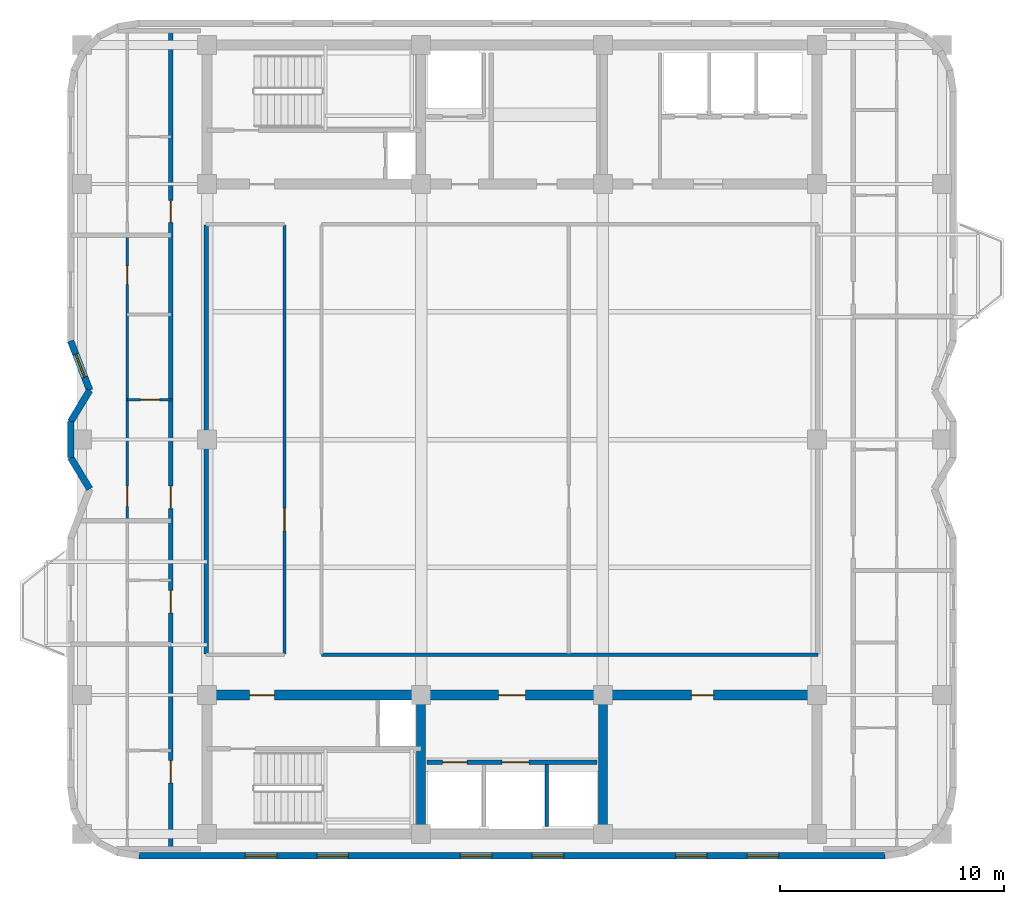
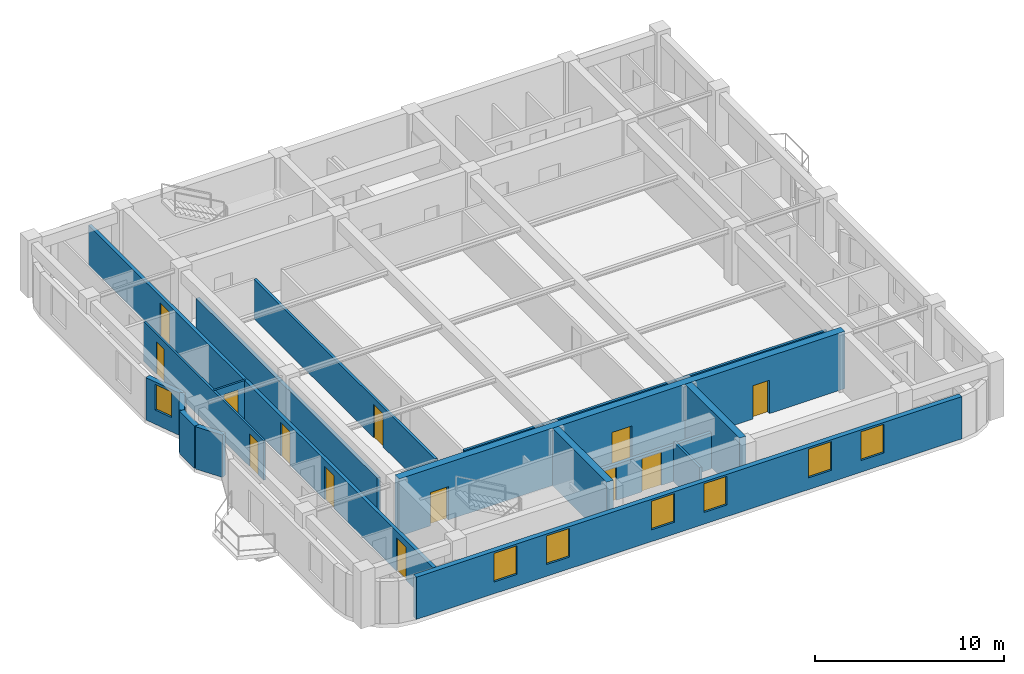
# One storey, part 3 of 8: 16 walls, 13 doors, 7 windows, 20 openings.
"""IFC4 building model written with IfcOpenShell, lengths in metres."""

import ifcopenshell
import ifcopenshell.guid

model = None  # the IFC model being written
_history = None  # IfcOwnerHistory: only IFC2X3 demands one
_inside = {}  # id of a spatial element -> (the spatial element, [elements in it])
_under = {}  # id of a project, library or spatial element -> (it, [spatial elements below it])
_declared = {}  # id of a project -> (the project, [libraries it declares])
_typed = {}  # id of a type object -> (the type object, [elements of that type])
_made_of = {}  # id of a material, layer set ... -> (it, [elements and type objects made of it])


def new_model(schema):
    """Start an empty IFC model of exactly this schema.

    Asked for "IFC4X3", IfcOpenShell would pick the latest addendum, in which some entities
    have other attributes; the version numbers below select the first issue.
    IFC2X3 requires an IfcOwnerHistory on every rooted entity: one is made here for all.
    """
    global model, _history
    if schema == "IFC4X3":
        model = ifcopenshell.file(schema_version=(4, 3, 0, 0))
    else:
        model = ifcopenshell.file(schema=schema)
    _inside.clear()
    _under.clear()
    _declared.clear()
    _typed.clear()
    _made_of.clear()
    _history = None
    if model.schema == "IFC2X3":
        org = make("IfcOrganization", Name="unknown")
        user = make(
            "IfcPersonAndOrganization",
            ThePerson=make("IfcPerson", FamilyName="unknown"),
            TheOrganization=org,
        )
        app = make(
            "IfcApplication",
            ApplicationDeveloper=org,
            Version="unknown",
            ApplicationFullName="unknown",
            ApplicationIdentifier="unknown",
        )
        _history = make(
            "IfcOwnerHistory",
            OwningUser=user,
            OwningApplication=app,
            ChangeAction="ADDED",
            CreationDate=0,
        )
    return model


def make(cls, **values):
    """One entity of the class cls with the attributes given. An attribute that is None is left unset."""
    return model.create_entity(
        cls, **{name: value for name, value in values.items() if value is not None}
    )


def rooted(cls, **values):
    """An entity with a GlobalId (a new one), such as an element, a storey or a relation."""
    return make(cls, GlobalId=ifcopenshell.guid.new(), OwnerHistory=_history, **values)


def si_unit(unit_type, name, prefix=None):
    """IfcSIUnit, for example si_unit("LENGTHUNIT", "METRE", prefix="MILLI")."""
    return make("IfcSIUnit", UnitType=unit_type, Prefix=prefix, Name=name)


def assignment(units):
    """IfcUnitAssignment: the units of a project."""
    return None if units is None else make("IfcUnitAssignment", Units=units)


def point(xyz):
    """IfcCartesianPoint."""
    return None if xyz is None else make("IfcCartesianPoint", Coordinates=xyz)


def direction(xyz):
    """IfcDirection."""
    return None if xyz is None else make("IfcDirection", DirectionRatios=xyz)


def frame(location, z_axis=None, x_axis=None):
    """IfcAxis2Placement3D, a coordinate frame: its origin and axes. An axis left out is left unset."""
    return make(
        "IfcAxis2Placement3D",
        Location=point(location),
        Axis=direction(z_axis),
        RefDirection=direction(x_axis),
    )


def frame_2d(location, x_axis=None):
    """IfcAxis2Placement2D, a coordinate frame in the plane: its origin and x axis."""
    return make(
        "IfcAxis2Placement2D", Location=point(location), RefDirection=direction(x_axis)
    )


def origin():
    """The frame at (0, 0, 0) with its axes left unset."""
    return frame((0.0, 0.0, 0.0))


def place(relative_to, where):
    """IfcLocalPlacement: puts the frame where relative to a parent placement (None: the world)."""
    return make(
        "IfcLocalPlacement", PlacementRelTo=relative_to, RelativePlacement=where
    )


def context(
    kind, dimensions, precision=None, world=None, true_north=None, identifier=None
):
    """IfcGeometricRepresentationContext, for example the 3D "Model" context."""
    return make(
        "IfcGeometricRepresentationContext",
        ContextIdentifier=identifier,
        ContextType=kind,
        CoordinateSpaceDimension=dimensions,
        Precision=precision,
        WorldCoordinateSystem=world,
        TrueNorth=true_north,
    )


def subcontext(parent, identifier, kind, view, scale=None):
    """IfcGeometricRepresentationSubContext, for example "Body" below "Model"."""
    return make(
        "IfcGeometricRepresentationSubContext",
        ContextIdentifier=identifier,
        ContextType=kind,
        ParentContext=parent,
        TargetScale=scale,
        TargetView=view,
    )


def project(units=None, contexts=None):
    """IfcProject with its units and contexts."""
    return rooted(
        "IfcProject",
        Name="project",
        RepresentationContexts=contexts,
        UnitsInContext=assignment(units),
    )


def spatial(cls, under=None, at=None, **own):
    """A site, building, storey or space (cls), placed at a placement, below another one or the project."""
    s = rooted(cls, ObjectPlacement=at, **own)
    if under is not None:
        _under.setdefault(under.id(), (under, []))[1].append(s)
    return s


def profile(cls, at=None, kind="AREA", **sizes):
    """A parametric profile (cls). Its sizes go by their IFC names, for example OverallWidth=200.0."""
    return make(cls, ProfileType=kind, Position=at, **sizes)


def rectangle(**sizes):
    """IfcRectangleProfileDef."""
    return profile("IfcRectangleProfileDef", **sizes)


def extrude(swept, where, along, depth):
    """IfcExtrudedAreaSolid: the profile swept, set in the frame where, extruded along a direction by depth."""
    return make(
        "IfcExtrudedAreaSolid",
        SweptArea=swept,
        Position=where,
        ExtrudedDirection=direction(along),
        Depth=depth,
    )


def shape(context_of_items, identifier, shape_type, items):
    """IfcShapeRepresentation: the items that make up one representation, for example the "Body"."""
    return make(
        "IfcShapeRepresentation",
        ContextOfItems=context_of_items,
        RepresentationIdentifier=identifier,
        RepresentationType=shape_type,
        Items=items,
    )


def material(Name=None, Category=None):
    """IfcMaterial."""
    return make("IfcMaterial", Name=Name, Category=Category)


def layer(
    of_material, thickness, ventilated=None, Name=None, Category=None, Priority=None
):
    """IfcMaterialLayer: one layer of a wall or slab, of a material (None: an air gap)."""
    return make(
        "IfcMaterialLayer",
        Material=of_material,
        LayerThickness=thickness,
        IsVentilated=ventilated,
        Name=Name,
        Category=Category,
        Priority=Priority,
    )


def layer_set(layers, Name=None):
    """IfcMaterialLayerSet."""
    return make("IfcMaterialLayerSet", MaterialLayers=layers, LayerSetName=Name)


def made_of(thing, what):
    """Note that an element or type object is made of a material, layer set ...; save() writes the relation."""
    if what is not None:
        _made_of.setdefault(what.id(), (what, []))[1].append(thing)
    return thing


def type_object(cls, material=None, **own):
    """A type object (cls), such as IfcWallType, which elements share."""
    return made_of(rooted(cls, **own), material)


def element(
    cls,
    number,
    at=None,
    inside=None,
    cuts=None,
    type_object=None,
    material=None,
    context=None,
    identifier="Body",
    shape_type=None,
    held_by="IfcProductDefinitionShape",
    body=None,
    shapes=None,
    **own,
):
    """One element of the class cls, such as IfcWall. Its Tag is "e" and its number.

    at: its placement. inside: the storey or other place that contains it. cuts: it is an
    opening in that element (IfcRelVoidsElement). A single representation is given by context,
    identifier, shape_type and body (its items); several are given by shapes. held_by: the class
    of the entity that holds the representations. save() writes the other relations.
    """
    e = rooted(cls, Tag="e%d" % number, ObjectPlacement=at, **own)
    if body is not None:
        shapes = [shape(context, identifier, shape_type, body)]
    if shapes is not None:
        e.Representation = make(held_by, Representations=shapes)
    if inside is not None:
        _inside.setdefault(inside.id(), (inside, []))[1].append(e)
    if cuts is not None:
        rooted(
            "IfcRelVoidsElement", RelatingBuildingElement=cuts, RelatedOpeningElement=e
        )
    if type_object is not None:
        _typed.setdefault(type_object.id(), (type_object, []))[1].append(e)
    return made_of(e, material)


def fill(opening, filler):
    """IfcRelFillsElement: the door or window that sits in an opening."""
    return rooted(
        "IfcRelFillsElement",
        RelatingOpeningElement=opening,
        RelatedBuildingElement=filler,
    )


def aggregate(whole, parts):
    """IfcRelAggregates: a whole, such as a stair, and the parts it consists of."""
    return rooted("IfcRelAggregates", RelatingObject=whole, RelatedObjects=parts)


def save(model, path):
    """Write the relations noted so far, then the file.

    IfcRelAggregates (storeys below a building ...), IfcRelContainedInSpatialStructure (elements
    in a storey), IfcRelDefinesByType, IfcRelAssociatesMaterial and IfcRelDeclares: one each for
    every whole, place, type object, material and project.
    """
    for whole, parts in _under.values():
        aggregate(whole, parts)
    for where, things in _inside.values():
        rooted(
            "IfcRelContainedInSpatialStructure",
            RelatedElements=things,
            RelatingStructure=where,
        )
    for kind, things in _typed.values():
        rooted("IfcRelDefinesByType", RelatedObjects=things, RelatingType=kind)
    for what, things in _made_of.values():
        rooted("IfcRelAssociatesMaterial", RelatedObjects=things, RelatingMaterial=what)
    for by, libraries in _declared.values():
        rooted("IfcRelDeclares", RelatingContext=by, RelatedDefinitions=libraries)
    model.write(path)


model = new_model("IFC4")

# Units and contexts
model_context = context("Model", 3, precision=1e-05, world=origin(), true_north=direction((0.0, 1.0)))
body_context = subcontext(model_context, "Body", "Model", "MODEL_VIEW")
ifc_project = project(units=[si_unit("LENGTHUNIT", "METRE"), si_unit("AREAUNIT", "SQUARE_METRE"), si_unit("VOLUMEUNIT", "CUBIC_METRE"), si_unit("PLANEANGLEUNIT", "RADIAN"), si_unit("MASSUNIT", "GRAM", prefix="KILO")], contexts=[model_context])

# Site, building, storey
site_placement = place(None, origin())
site = spatial("IfcSite", under=ifc_project, at=site_placement, CompositionType="ELEMENT")
building_placement = place(site_placement, origin())
building = spatial("IfcBuilding", under=site, at=building_placement, Name="Svetorya Sky Lyceum", CompositionType="ELEMENT")
storey_placement = place(building_placement, frame((0.0, 0.0, 229.5)))
storey = spatial("IfcBuildingStorey", under=building, at=storey_placement, Name="L57", CompositionType="ELEMENT", Elevation=229.5)

# Walls
ifc_material_1 = material(Name="Concrete C40/50", Category="concrete")
ifc_layer_1 = layer(ifc_material_1, 0.39990234375)
ifc_layer_set_1 = layer_set([ifc_layer_1], Name="Concrete C40/50")
wall_type_1 = type_object("IfcWallType", Name="WL-CORE-400", PredefinedType="SHEAR", material=ifc_layer_set_1)
for number, where, z_axis, x_axis, name in (
    (1, (35.14990234375, 10.824951171875, 0.0), (0.0, 0.0, 1.0), (0.0, 1.0, 0.0), "L57 SC Internal Shear Web WEB1"),
    (2, (43.25, 10.824951171875, 0.0), (0.0, 0.0, 1.0), (0.0, 1.0, 0.0), "L57 SC Internal Shear Web WEB2"),
):
    element("IfcWall", number, at=place(storey_placement, frame(where, z_axis=z_axis, x_axis=x_axis)), inside=storey, type_object=wall_type_1, Name=name, PredefinedType="SHEAR", context=body_context, shape_type="SweptSolid", body=[
        extrude(rectangle(XDim=5.75, YDim=0.39990234375, at=frame_2d((2.875, 0.0))), origin(), (0.0, 0.0, 1.0), 3.699951171875),
    ])

# Wall, openings, doors
ifc_material_2 = material(Name="Concrete C50/60", Category="concrete")
ifc_layer_2 = layer(ifc_material_2, 0.449951171875)
ifc_layer_set_2 = layer_set([ifc_layer_2], Name="Concrete C50/60")
wall_type_2 = type_object("IfcWallType", Name="WL-CORE-450", PredefinedType="SHEAR", material=ifc_layer_set_2)
wall_1_placement = place(storey_placement, frame((25.60009765625, 16.800048828125, 0.0), z_axis=(0.0, 0.0, 1.0), x_axis=(1.0, 0.0, 0.0)))
wall_1 = element("IfcWall", 3, at=wall_1_placement, inside=storey, type_object=wall_type_2, Name="L57 SC Inner Core Shear Wall", PredefinedType="SHEAR", context=body_context, shape_type="SweptSolid", body=[
    extrude(rectangle(XDim=27.199951171875, YDim=0.449951171875, at=frame_2d((13.60009765625, 0.0))), origin(), (0.0, 0.0, 1.0), 3.699951171875),
])
opening_1_placement = place(wall_1_placement, frame((1.89990234375, 0.0, 0.0)))
opening_1 = element("IfcOpeningElement", 4, at=opening_1_placement, cuts=wall_1, Name="Opening D-ST1", PredefinedType="OPENING", context=body_context, shape_type="SweptSolid", body=[
    extrude(rectangle(XDim=1.10009765625, YDim=2.14990234375, at=frame_2d((0.550048828125, 1.074951171875))), frame((0.0, 0.23486328125, 0.0), z_axis=(0.0, -1.0, 0.0), x_axis=(1.0, 0.0, 0.0)), (0.0, 0.0, 1.0), 0.469970703125),
])
opening_2_placement = place(wall_1_placement, frame((13.0, 0.0, 0.0)))
opening_2 = element("IfcOpeningElement", 5, at=opening_2_placement, cuts=wall_1, Name="Opening D-FL1", PredefinedType="OPENING", context=body_context, shape_type="SweptSolid", body=[
    extrude(rectangle(XDim=1.199951171875, YDim=2.14990234375, at=frame_2d((0.60009765625, 1.074951171875))), frame((0.0, 0.23486328125, 0.0), z_axis=(0.0, -1.0, 0.0), x_axis=(1.0, 0.0, 0.0)), (0.0, 0.0, 1.0), 0.469970703125),
])
opening_3_placement = place(wall_1_placement, frame((21.60009765625, 0.0, 0.0)))
opening_3 = element("IfcOpeningElement", 6, at=opening_3_placement, cuts=wall_1, Name="Opening D-RM2", PredefinedType="OPENING", context=body_context, shape_type="SweptSolid", body=[
    extrude(rectangle(XDim=1.0, YDim=2.14990234375, at=frame_2d((0.5, 1.074951171875))), frame((0.0, 0.23486328125, 0.0), z_axis=(0.0, -1.0, 0.0), x_axis=(1.0, 0.0, 0.0)), (0.0, 0.0, 1.0), 0.469970703125),
])
ifc_material_3 = material(Name="Powder-coated insulated galvanized stair fire door")
door_type_1 = type_object("IfcDoorType", Name="DR-FIRE-1100", OperationType="SINGLE_SWING_LEFT", PredefinedType="DOOR", material=ifc_material_3)
door_1_placement = place(opening_1_placement, origin())
door_1 = element("IfcDoor", 7, at=door_1_placement, inside=storey, type_object=door_type_1, Name="L57 South Stair Airlock Door", OperationType="SINGLE_SWING_RIGHT", OverallHeight=2.14990234375, OverallWidth=1.10009765625, PredefinedType="DOOR", context=body_context, shape_type="SweptSolid", body=[
    extrude(rectangle(XDim=1.10009765625, YDim=2.14990234375, at=frame_2d((0.550048828125, 1.074951171875))), frame((0.0, 0.02490234375, 0.0), z_axis=(0.0, -1.0, 0.0), x_axis=(1.0, 0.0, 0.0)), (0.0, 0.0, 1.0), 0.050048828125),
])
fill(opening_1, door_1)
ifc_material_4 = material(Name="Powder-coated insulated galvanized fire door")
door_type_2 = type_object("IfcDoorType", Name="DR-FIRE-1200", OperationType="SINGLE_SWING_LEFT", PredefinedType="DOOR", material=ifc_material_4)
door_2_placement = place(opening_2_placement, origin())
door_2 = element("IfcDoor", 8, at=door_2_placement, inside=storey, type_object=door_type_2, Name="L57 South Firefighting Lift Lobby Door", OperationType="SINGLE_SWING_LEFT", OverallHeight=2.14990234375, OverallWidth=1.199951171875, PredefinedType="DOOR", context=body_context, shape_type="SweptSolid", body=[
    extrude(rectangle(XDim=1.199951171875, YDim=2.14990234375, at=frame_2d((0.60009765625, 1.074951171875))), frame((0.0, 0.02490234375, 0.0), z_axis=(0.0, -1.0, 0.0), x_axis=(1.0, 0.0, 0.0)), (0.0, 0.0, 1.0), 0.050048828125),
])
fill(opening_2, door_2)
ifc_material_5 = material(Name="Solid-core oak acoustic room door")
door_type_3 = type_object("IfcDoorType", Name="DR-INT-1000", OperationType="SINGLE_SWING_LEFT", PredefinedType="DOOR", material=ifc_material_5)
door_3_placement = place(opening_3_placement, origin())
door_3 = element("IfcDoor", 9, at=door_3_placement, inside=storey, type_object=door_type_3, Name="L57 Trunk Store Door", OperationType="SINGLE_SWING_LEFT", OverallHeight=2.14990234375, OverallWidth=1.0, PredefinedType="DOOR", context=body_context, shape_type="SweptSolid", body=[
    extrude(rectangle(XDim=1.0, YDim=2.14990234375, at=frame_2d((0.5, 1.074951171875))), frame((0.0, 0.02490234375, 0.0), z_axis=(0.0, -1.0, 0.0), x_axis=(1.0, 0.0, 0.0)), (0.0, 0.0, 1.0), 0.050048828125),
])
fill(opening_3, door_3)

# Wall, openings, windows
ifc_material_6 = material(Name="Putilovo limestone rainscreen on autoclaved cellular masonry", Category="masonry")
ifc_layer_3 = layer(ifc_material_6, 0.300048828125)
ifc_layer_set_3 = layer_set([ifc_layer_3], Name="Putilovo limestone rainscreen on autoclaved cellular masonry")
wall_type_3 = type_object("IfcWallType", Name="WL-EXT-300", PredefinedType="SOLIDWALL", material=ifc_layer_set_3)
wall_2_placement = place(storey_placement, frame((22.56005859375, 9.6298828125, 0.0), z_axis=(0.0, 0.0, 1.0), x_axis=(1.0, 0.0, 0.0)))
wall_2 = element("IfcWall", 10, at=wall_2_placement, inside=storey, type_object=wall_type_3, Name="L57 Limestone Exterior Wall 6M", PredefinedType="SOLIDWALL", context=body_context, shape_type="SweptSolid", body=[
    extrude(rectangle(XDim=33.280029296875, YDim=0.300048828125, at=frame_2d((16.64013671875, 0.0))), origin(), (0.0, 0.0, 1.0), 2.72998046875),
])
opening_4_placement = place(wall_2_placement, frame((4.7470703125, 0.0, 0.760009765625)))
opening_4 = element("IfcOpeningElement", 11, at=opening_4_placement, cuts=wall_2, Name="Opening W-R2", PredefinedType="OPENING", context=body_context, shape_type="SweptSolid", body=[
    extrude(rectangle(XDim=1.39990234375, YDim=1.85009765625, at=frame_2d((0.699951171875, 0.925048828125))), frame((0.0, 0.159912109375, 0.0), z_axis=(0.0, -1.0, 0.0), x_axis=(1.0, 0.0, 0.0)), (0.0, 0.0, 1.0), 0.320068359375),
])
opening_5_placement = place(wall_2_placement, frame((7.945068359375, 0.0, 0.760009765625)))
opening_5 = element("IfcOpeningElement", 12, at=opening_5_placement, cuts=wall_2, Name="Opening W-R2", PredefinedType="OPENING", context=body_context, shape_type="SweptSolid", body=[
    extrude(rectangle(XDim=1.39990234375, YDim=1.85009765625, at=frame_2d((0.699951171875, 0.925048828125))), frame((0.0, 0.159912109375, 0.0), z_axis=(0.0, -1.0, 0.0), x_axis=(1.0, 0.0, 0.0)), (0.0, 0.0, 1.0), 0.320068359375),
])
opening_6_placement = place(wall_2_placement, frame((14.341064453125, 0.0, 0.760009765625)))
opening_6 = element("IfcOpeningElement", 13, at=opening_6_placement, cuts=wall_2, Name="Opening W-R2", PredefinedType="OPENING", context=body_context, shape_type="SweptSolid", body=[
    extrude(rectangle(XDim=1.39990234375, YDim=1.85009765625, at=frame_2d((0.699951171875, 0.925048828125))), frame((0.0, 0.159912109375, 0.0), z_axis=(0.0, -1.0, 0.0), x_axis=(1.0, 0.0, 0.0)), (0.0, 0.0, 1.0), 0.320068359375),
])
opening_7_placement = place(wall_2_placement, frame((17.5390625, 0.0, 0.760009765625)))
opening_7 = element("IfcOpeningElement", 14, at=opening_7_placement, cuts=wall_2, Name="Opening W-R2", PredefinedType="OPENING", context=body_context, shape_type="SweptSolid", body=[
    extrude(rectangle(XDim=1.39990234375, YDim=1.85009765625, at=frame_2d((0.699951171875, 0.925048828125))), frame((0.0, 0.159912109375, 0.0), z_axis=(0.0, -1.0, 0.0), x_axis=(1.0, 0.0, 0.0)), (0.0, 0.0, 1.0), 0.320068359375),
])
opening_8_placement = place(wall_2_placement, frame((23.93505859375, 0.0, 0.760009765625)))
opening_8 = element("IfcOpeningElement", 15, at=opening_8_placement, cuts=wall_2, Name="Opening W-R2", PredefinedType="OPENING", context=body_context, shape_type="SweptSolid", body=[
    extrude(rectangle(XDim=1.39990234375, YDim=1.85009765625, at=frame_2d((0.699951171875, 0.925048828125))), frame((0.0, 0.159912109375, 0.0), z_axis=(0.0, -1.0, 0.0), x_axis=(1.0, 0.0, 0.0)), (0.0, 0.0, 1.0), 0.320068359375),
])
opening_9_placement = place(wall_2_placement, frame((27.133056640625, 0.0, 0.760009765625)))
opening_9 = element("IfcOpeningElement", 16, at=opening_9_placement, cuts=wall_2, Name="Opening W-R2", PredefinedType="OPENING", context=body_context, shape_type="SweptSolid", body=[
    extrude(rectangle(XDim=1.39990234375, YDim=1.85009765625, at=frame_2d((0.699951171875, 0.925048828125))), frame((0.0, 0.159912109375, 0.0), z_axis=(0.0, -1.0, 0.0), x_axis=(1.0, 0.0, 0.0)), (0.0, 0.0, 1.0), 0.320068359375),
])
ifc_material_7 = material(Name="Thermally broken aluminium frame with triple low-E glazing", Category="aluminium")
window_type_1 = type_object("IfcWindowType", Name="WN-RES-140", PartitioningType="SINGLE_PANEL", PredefinedType="WINDOW", material=ifc_material_7)
window_1_placement = place(opening_4_placement, origin())
window_1 = element("IfcWindow", 17, at=window_1_placement, inside=storey, type_object=window_type_1, Name="L57 Facade Window W-R2.6M.1", OverallHeight=1.85009765625, OverallWidth=1.39990234375, PartitioningType="SINGLE_PANEL", PredefinedType="WINDOW", context=body_context, shape_type="SweptSolid", body=[
    extrude(rectangle(XDim=1.39990234375, YDim=1.85009765625, at=frame_2d((0.699951171875, 0.925048828125))), frame((0.0, 0.030029296875, 0.0), z_axis=(0.0, -1.0, 0.0), x_axis=(1.0, 0.0, 0.0)), (0.0, 0.0, 1.0), 0.06005859375),
])
fill(opening_4, window_1)
window_2_placement = place(opening_5_placement, origin())
window_2 = element("IfcWindow", 18, at=window_2_placement, inside=storey, type_object=window_type_1, Name="L57 Facade Window W-R2.6M.2", OverallHeight=1.85009765625, OverallWidth=1.39990234375, PartitioningType="SINGLE_PANEL", PredefinedType="WINDOW", context=body_context, shape_type="SweptSolid", body=[
    extrude(rectangle(XDim=1.39990234375, YDim=1.85009765625, at=frame_2d((0.699951171875, 0.925048828125))), frame((0.0, 0.030029296875, 0.0), z_axis=(0.0, -1.0, 0.0), x_axis=(1.0, 0.0, 0.0)), (0.0, 0.0, 1.0), 0.06005859375),
])
fill(opening_5, window_2)
window_3_placement = place(opening_6_placement, origin())
window_3 = element("IfcWindow", 19, at=window_3_placement, inside=storey, type_object=window_type_1, Name="L57 Facade Window W-R2.6M.3", OverallHeight=1.85009765625, OverallWidth=1.39990234375, PartitioningType="SINGLE_PANEL", PredefinedType="WINDOW", context=body_context, shape_type="SweptSolid", body=[
    extrude(rectangle(XDim=1.39990234375, YDim=1.85009765625, at=frame_2d((0.699951171875, 0.925048828125))), frame((0.0, 0.030029296875, 0.0), z_axis=(0.0, -1.0, 0.0), x_axis=(1.0, 0.0, 0.0)), (0.0, 0.0, 1.0), 0.06005859375),
])
fill(opening_6, window_3)
window_4_placement = place(opening_7_placement, origin())
window_4 = element("IfcWindow", 20, at=window_4_placement, inside=storey, type_object=window_type_1, Name="L57 Facade Window W-R2.6M.4", OverallHeight=1.85009765625, OverallWidth=1.39990234375, PartitioningType="SINGLE_PANEL", PredefinedType="WINDOW", context=body_context, shape_type="SweptSolid", body=[
    extrude(rectangle(XDim=1.39990234375, YDim=1.85009765625, at=frame_2d((0.699951171875, 0.925048828125))), frame((0.0, 0.030029296875, 0.0), z_axis=(0.0, -1.0, 0.0), x_axis=(1.0, 0.0, 0.0)), (0.0, 0.0, 1.0), 0.06005859375),
])
fill(opening_7, window_4)
window_5_placement = place(opening_8_placement, origin())
window_5 = element("IfcWindow", 21, at=window_5_placement, inside=storey, type_object=window_type_1, Name="L57 Facade Window W-R2.6M.5", OverallHeight=1.85009765625, OverallWidth=1.39990234375, PartitioningType="SINGLE_PANEL", PredefinedType="WINDOW", context=body_context, shape_type="SweptSolid", body=[
    extrude(rectangle(XDim=1.39990234375, YDim=1.85009765625, at=frame_2d((0.699951171875, 0.925048828125))), frame((0.0, 0.030029296875, 0.0), z_axis=(0.0, -1.0, 0.0), x_axis=(1.0, 0.0, 0.0)), (0.0, 0.0, 1.0), 0.06005859375),
])
fill(opening_8, window_5)
window_6_placement = place(opening_9_placement, origin())
window_6 = element("IfcWindow", 22, at=window_6_placement, inside=storey, type_object=window_type_1, Name="L57 Facade Window W-R2.6M.6", OverallHeight=1.85009765625, OverallWidth=1.39990234375, PartitioningType="SINGLE_PANEL", PredefinedType="WINDOW", context=body_context, shape_type="SweptSolid", body=[
    extrude(rectangle(XDim=1.39990234375, YDim=1.85009765625, at=frame_2d((0.699951171875, 0.925048828125))), frame((0.0, 0.030029296875, 0.0), z_axis=(0.0, -1.0, 0.0), x_axis=(1.0, 0.0, 0.0)), (0.0, 0.0, 1.0), 0.06005859375),
])
fill(opening_9, window_6)

# Wall, opening, window
wall_3_placement = place(storey_placement, frame((19.510009765625, 32.60009765625, 0.0), z_axis=(0.0, 0.0, 1.0), x_axis=(0.36040746662, -0.932794971044, 0.0)))
wall_3 = element("IfcWall", 23, at=wall_3_placement, inside=storey, type_object=wall_type_3, Name="L57 Limestone Exterior Wall 31M", PredefinedType="SOLIDWALL", context=body_context, shape_type="SweptSolid", body=[
    extrude(rectangle(XDim=2.358642578125, YDim=0.300048828125, at=frame_2d((1.17919921875, 0.0))), origin(), (0.0, 0.0, 1.0), 2.72998046875),
])
opening_10_placement = place(wall_3_placement, frame((0.629150390625, 0.0, 0.919921875)))
opening_10 = element("IfcOpeningElement", 24, at=opening_10_placement, cuts=wall_3, Name="Opening W-R3", PredefinedType="OPENING", context=body_context, shape_type="SweptSolid", body=[
    extrude(rectangle(XDim=1.10009765625, YDim=1.64990234375, at=frame_2d((0.550048828125, 0.824951171875))), frame((0.0, 0.159912109375, 0.0), z_axis=(0.0, -1.0, 0.0), x_axis=(1.0, 0.0, 0.0)), (0.0, 0.0, 1.0), 0.320068359375),
])
window_type_2 = type_object("IfcWindowType", Name="WN-RES-110", PartitioningType="SINGLE_PANEL", PredefinedType="WINDOW", material=ifc_material_7)
window_7_placement = place(opening_10_placement, origin())
window_7 = element("IfcWindow", 25, at=window_7_placement, inside=storey, type_object=window_type_2, Name="L57 Facade Window W-R3.31M.1", OverallHeight=1.64990234375, OverallWidth=1.10009765625, PartitioningType="SINGLE_PANEL", PredefinedType="WINDOW", context=body_context, shape_type="SweptSolid", body=[
    extrude(rectangle(XDim=1.10009765625, YDim=1.64990234375, at=frame_2d((0.550048828125, 0.824951171875))), frame((0.0, 0.030029296875, 0.0), z_axis=(0.0, -1.0, 0.0), x_axis=(1.0, 0.0, 0.0)), (0.0, 0.0, 1.0), 0.06005859375),
])
fill(opening_10, window_7)

# Walls
wall_4_placement = place(storey_placement, frame((20.360107421875, 30.39990234375, 0.0), z_axis=(0.0, 0.0, 1.0), x_axis=(-0.5190481505, -0.854745001426, 0.0)))
element("IfcWall", 26, at=wall_4_placement, inside=storey, type_object=wall_type_3, Name="L57 Limestone Exterior Wall 32M", PredefinedType="SOLIDWALL", context=body_context, shape_type="SweptSolid", body=[
    extrude(rectangle(XDim=1.6376953125, YDim=0.300048828125, at=frame_2d((0.81884765625, 0.0))), origin(), (0.0, 0.0, 1.0), 2.72998046875),
])
wall_5_placement = place(storey_placement, frame((19.510009765625, 29.0, 0.0), z_axis=(0.0, 0.0, 1.0), x_axis=(0.0, -1.0, 0.0)))
element("IfcWall", 27, at=wall_5_placement, inside=storey, type_object=wall_type_3, Name="L57 Limestone Exterior Wall 33M", PredefinedType="SOLIDWALL", context=body_context, shape_type="SweptSolid", body=[
    extrude(rectangle(XDim=1.60009765625, YDim=0.300048828125, at=frame_2d((0.800048828125, 0.0))), origin(), (0.0, 0.0, 1.0), 2.72998046875),
])
wall_6_placement = place(storey_placement, frame((19.510009765625, 27.39990234375, 0.0), z_axis=(0.0, 0.0, 1.0), x_axis=(0.5190481505, -0.854745001426, 0.0)))
element("IfcWall", 28, at=wall_6_placement, inside=storey, type_object=wall_type_3, Name="L57 Limestone Exterior Wall 34M", PredefinedType="SOLIDWALL", context=body_context, shape_type="SweptSolid", body=[
    extrude(rectangle(XDim=1.6376953125, YDim=0.300048828125, at=frame_2d((0.81884765625, 0.0))), origin(), (0.0, 0.0, 1.0), 2.72998046875),
])

# Wall, opening, door
ifc_material_8 = material(Name="Twin-stud galvanized framing with double fireboard", Category="gypsum")
ifc_layer_4 = layer(ifc_material_8, 0.1201171875)
ifc_layer_set_4 = layer_set([ifc_layer_4], Name="Twin-stud galvanized framing with double fireboard")
wall_type_4 = type_object("IfcWallType", Name="WL-PART-120", PredefinedType="PARTITIONING", material=ifc_layer_set_4)
wall_7_placement = place(storey_placement, frame((22.030029296875, 29.97509765625, 0.0), z_axis=(0.0, 0.0, 1.0), x_axis=(1.0, 0.0, 0.0)))
wall_7 = element("IfcWall", 29, at=wall_7_placement, inside=storey, type_object=wall_type_4, Name="L57 Interior Partition W3-WH1", PredefinedType="PARTITIONING", context=body_context, shape_type="SweptSolid", body=[
    extrude(rectangle(XDim=1.949951171875, YDim=0.1201171875, at=frame_2d((0.97509765625, 0.0))), origin(), (0.0, 0.0, 1.0), 2.56005859375),
])
opening_11_placement = place(wall_7_placement, frame((0.60009765625, 0.0, 0.0)))
opening_11 = element("IfcOpeningElement", 30, at=opening_11_placement, cuts=wall_7, Name="Opening D-BT1", PredefinedType="OPENING", context=body_context, shape_type="SweptSolid", body=[
    extrude(rectangle(XDim=0.85009765625, YDim=2.10009765625, at=frame_2d((0.425048828125, 1.050048828125))), frame((0.0, 0.070068359375, 0.0), z_axis=(0.0, -1.0, 0.0), x_axis=(1.0, 0.0, 0.0)), (0.0, 0.0, 1.0), 0.14013671875),
])
ifc_material_9 = material(Name="Moisture-resistant laminate bathroom door")
door_type_4 = type_object("IfcDoorType", Name="DR-WET-850", OperationType="SINGLE_SWING_LEFT", PredefinedType="DOOR", material=ifc_material_9)
door_4_placement = place(opening_11_placement, origin())
door_4 = element("IfcDoor", 31, at=door_4_placement, inside=storey, type_object=door_type_4, Name="Apartment W3 Bathroom Door", OperationType="SINGLE_SWING_LEFT", OverallHeight=2.10009765625, OverallWidth=0.85009765625, PredefinedType="DOOR", context=body_context, shape_type="SweptSolid", body=[
    extrude(rectangle(XDim=0.85009765625, YDim=2.10009765625, at=frame_2d((0.425048828125, 1.050048828125))), frame((0.0, 0.02490234375, 0.0), z_axis=(0.0, -1.0, 0.0), x_axis=(1.0, 0.0, 0.0)), (0.0, 0.0, 1.0), 0.050048828125),
])
fill(opening_11, door_4)

# Wall, openings, doors
wall_8_placement = place(storey_placement, frame((22.030029296875, 24.614990234375, 0.0), z_axis=(0.0, 0.0, 1.0), x_axis=(0.0, 1.0, 0.0)))
wall_8 = element("IfcWall", 32, at=wall_8_placement, inside=storey, type_object=wall_type_4, Name="L57 Interior Partition W3-WV", PredefinedType="PARTITIONING", context=body_context, shape_type="SweptSolid", body=[
    extrude(rectangle(XDim=12.669921875, YDim=0.1201171875, at=frame_2d((6.3349609375, 0.0))), origin(), (0.0, 0.0, 1.0), 2.56005859375),
])
opening_12_placement = place(wall_8_placement, frame((0.610107421875, 0.0, 0.0)))
opening_12 = element("IfcOpeningElement", 33, at=opening_12_placement, cuts=wall_8, Name="Opening D-RM1", PredefinedType="OPENING", context=body_context, shape_type="SweptSolid", body=[
    extrude(rectangle(XDim=0.89990234375, YDim=2.10009765625, at=frame_2d((0.449951171875, 1.050048828125))), frame((0.0, 0.070068359375, 0.0), z_axis=(0.0, -1.0, 0.0), x_axis=(1.0, 0.0, 0.0)), (0.0, 0.0, 1.0), 0.14013671875),
])
opening_13_placement = place(wall_8_placement, frame((10.510009765625, 0.0, 0.0)))
opening_13 = element("IfcOpeningElement", 34, at=opening_13_placement, cuts=wall_8, Name="Opening D-BT2", PredefinedType="OPENING", context=body_context, shape_type="SweptSolid", body=[
    extrude(rectangle(XDim=0.820068359375, YDim=2.080078125, at=frame_2d((0.41015625, 1.0400390625))), frame((0.0, 0.070068359375, 0.0), z_axis=(0.0, -1.0, 0.0), x_axis=(1.0, 0.0, 0.0)), (0.0, 0.0, 1.0), 0.14013671875),
])
ifc_material_10 = material(Name="Lacquered birch veneer internal door")
door_type_5 = type_object("IfcDoorType", Name="DR-INT-900", OperationType="SINGLE_SWING_LEFT", PredefinedType="DOOR", material=ifc_material_10)
door_5_placement = place(opening_12_placement, origin())
door_5 = element("IfcDoor", 35, at=door_5_placement, inside=storey, type_object=door_type_5, Name="Apartment W3 Living Door", OperationType="SINGLE_SWING_RIGHT", OverallHeight=2.10009765625, OverallWidth=0.89990234375, PredefinedType="DOOR", context=body_context, shape_type="SweptSolid", body=[
    extrude(rectangle(XDim=0.89990234375, YDim=2.10009765625, at=frame_2d((0.449951171875, 1.050048828125))), frame((0.0, 0.02490234375, 0.0), z_axis=(0.0, -1.0, 0.0), x_axis=(1.0, 0.0, 0.0)), (0.0, 0.0, 1.0), 0.050048828125),
])
fill(opening_12, door_5)
ifc_material_11 = material(Name="Compact moisture-resistant laminate closet door")
door_type_6 = type_object("IfcDoorType", Name="DR-WET-820", OperationType="SINGLE_SWING_LEFT", PredefinedType="DOOR", material=ifc_material_11)
door_6_placement = place(opening_13_placement, origin())
door_6 = element("IfcDoor", 36, at=door_6_placement, inside=storey, type_object=door_type_6, Name="Apartment W3 Study Door", OperationType="SINGLE_SWING_LEFT", OverallHeight=2.080078125, OverallWidth=0.820068359375, PredefinedType="DOOR", context=body_context, shape_type="SweptSolid", body=[
    extrude(rectangle(XDim=0.820068359375, YDim=2.080078125, at=frame_2d((0.41015625, 1.0400390625))), frame((0.0, 0.02490234375, 0.0), z_axis=(0.0, -1.0, 0.0), x_axis=(1.0, 0.0, 0.0)), (0.0, 0.0, 1.0), 0.050048828125),
])
fill(opening_13, door_6)

# Walls
ifc_material_12 = material(Name="Autoclaved cellular masonry blockwork with acoustic render", Category="masonry")
ifc_layer_5 = layer(ifc_material_12, 0.14990234375)
ifc_layer_set_5 = layer_set([ifc_layer_5], Name="Autoclaved cellular masonry blockwork with acoustic render")
wall_type_5 = type_object("IfcWallType", Name="WL-PART-150", PredefinedType="PARTITIONING", material=ifc_layer_set_5)
wall_9_placement = place(storey_placement, frame((40.75, 10.949951171875, 0.0), z_axis=(0.0, 0.0, 1.0), x_axis=(0.0, 1.0, 0.0)))
element("IfcWall", 37, at=wall_9_placement, inside=storey, type_object=wall_type_5, Name="L57 Interior Partition SC-SHD2", PredefinedType="PARTITIONING", context=body_context, shape_type="SweptSolid", body=[
    extrude(rectangle(XDim=2.75, YDim=0.14990234375, at=frame_2d((1.375, 0.0))), origin(), (0.0, 0.0, 1.0), 2.56005859375),
])
wall_10_placement = place(storey_placement, frame((30.699951171875, 18.60009765625, 0.0), z_axis=(0.0, 0.0, 1.0), x_axis=(1.0, 0.0, 0.0)))
element("IfcWall", 38, at=wall_10_placement, inside=storey, type_object=wall_type_5, Name="L57 Interior Partition OFF-CS-E", PredefinedType="PARTITIONING", context=body_context, shape_type="SweptSolid", body=[
    extrude(rectangle(XDim=22.150146484375, YDim=0.14990234375, at=frame_2d((11.0751953125, 0.0))), origin(), (0.0, 0.0, 1.0), 2.56005859375),
])

# Wall, opening, door
wall_11_placement = place(storey_placement, frame((29.050048828125, 18.6298828125, 0.0), z_axis=(0.0, 0.0, 1.0), x_axis=(0.0, 1.0, 0.0)))
wall_11 = element("IfcWall", 39, at=wall_11_placement, inside=storey, type_object=wall_type_5, Name="L57 Interior Partition OFF-VW", PredefinedType="PARTITIONING", context=body_context, shape_type="SweptSolid", body=[
    extrude(rectangle(XDim=19.14013671875, YDim=0.14990234375, at=frame_2d((9.570068359375, 0.0))), origin(), (0.0, 0.0, 1.0), 2.56005859375),
])
opening_14_placement = place(wall_11_placement, frame((5.5, 0.0, 0.0)))
opening_14 = element("IfcOpeningElement", 40, at=opening_14_placement, cuts=wall_11, Name="Opening D-RM2", PredefinedType="OPENING", context=body_context, shape_type="SweptSolid", body=[
    extrude(rectangle(XDim=1.0, YDim=2.14990234375, at=frame_2d((0.5, 1.074951171875))), frame((0.0, 0.0849609375, 0.0), z_axis=(0.0, -1.0, 0.0), x_axis=(1.0, 0.0, 0.0)), (0.0, 0.0, 1.0), 0.169921875),
])
door_7_placement = place(opening_14_placement, origin())
door_7 = element("IfcDoor", 41, at=door_7_placement, inside=storey, type_object=door_type_3, Name="L57 West Office Door", OperationType="SINGLE_SWING_LEFT", OverallHeight=2.14990234375, OverallWidth=1.0, PredefinedType="DOOR", context=body_context, shape_type="SweptSolid", body=[
    extrude(rectangle(XDim=1.0, YDim=2.14990234375, at=frame_2d((0.5, 1.074951171875))), frame((0.0, 0.02490234375, 0.0), z_axis=(0.0, -1.0, 0.0), x_axis=(1.0, 0.0, 0.0)), (0.0, 0.0, 1.0), 0.050048828125),
])
fill(opening_14, door_7)

# Wall, openings, doors
ifc_material_13 = material(Name="Autoclaved cellular masonry blockwork with gypsum plaster", Category="masonry")
ifc_layer_6 = layer(ifc_material_13, 0.199951171875)
ifc_layer_set_6 = layer_set([ifc_layer_6], Name="Autoclaved cellular masonry blockwork with gypsum plaster")
wall_type_6 = type_object("IfcWallType", Name="WL-PART-200", PredefinedType="PARTITIONING", material=ifc_layer_set_6)
wall_12_placement = place(storey_placement, frame((35.39990234375, 13.800048828125, 0.0), z_axis=(0.0, 0.0, 1.0), x_axis=(1.0, 0.0, 0.0)))
wall_12 = element("IfcWall", 42, at=wall_12_placement, inside=storey, type_object=wall_type_6, Name="L57 Interior Partition SC-FLW", PredefinedType="PARTITIONING", context=body_context, shape_type="SweptSolid", body=[
    extrude(rectangle(XDim=7.60009765625, YDim=0.199951171875, at=frame_2d((3.800048828125, 0.0))), origin(), (0.0, 0.0, 1.0), 2.330078125),
])
opening_15_placement = place(wall_12_placement, frame((0.699951171875, 0.0, 0.0)))
opening_15 = element("IfcOpeningElement", 43, at=opening_15_placement, cuts=wall_12, Name="Opening LD-FL", PredefinedType="OPENING", context=body_context, shape_type="SweptSolid", body=[
    extrude(rectangle(XDim=1.10009765625, YDim=2.14990234375, at=frame_2d((0.550048828125, 1.074951171875))), frame((0.0, 0.10986328125, 0.0), z_axis=(0.0, -1.0, 0.0), x_axis=(1.0, 0.0, 0.0)), (0.0, 0.0, 1.0), 0.219970703125),
])
opening_16_placement = place(wall_12_placement, frame((3.35009765625, 0.0, 0.0)))
opening_16 = element("IfcOpeningElement", 44, at=opening_16_placement, cuts=wall_12, Name="Opening LD-SV", PredefinedType="OPENING", context=body_context, shape_type="SweptSolid", body=[
    extrude(rectangle(XDim=1.199951171875, YDim=2.14990234375, at=frame_2d((0.60009765625, 1.074951171875))), frame((0.0, 0.10986328125, 0.0), z_axis=(0.0, -1.0, 0.0), x_axis=(1.0, 0.0, 0.0)), (0.0, 0.0, 1.0), 0.219970703125),
])
ifc_material_14 = material(Name="Fire-rated stainless AISI 304 firefighting lift landing door")
door_type_7 = type_object("IfcDoorType", Name="DR-LIFT-1100", OperationType="SLIDING_TO_LEFT", PredefinedType="DOOR", material=ifc_material_14)
door_8_placement = place(opening_15_placement, origin())
door_8 = element("IfcDoor", 45, at=door_8_placement, inside=storey, type_object=door_type_7, Name="L57 Firefighting Lift FL2 Landing Door", OperationType="SLIDING_TO_LEFT", OverallHeight=2.14990234375, OverallWidth=1.10009765625, PredefinedType="DOOR", context=body_context, shape_type="SweptSolid", body=[
    extrude(rectangle(XDim=1.10009765625, YDim=2.14990234375, at=frame_2d((0.550048828125, 1.074951171875))), frame((0.0, 0.02490234375, 0.0), z_axis=(0.0, -1.0, 0.0), x_axis=(1.0, 0.0, 0.0)), (0.0, 0.0, 1.0), 0.050048828125),
])
fill(opening_15, door_8)
ifc_material_15 = material(Name="Brushed stainless AISI 304 telescopic lift landing door")
door_type_8 = type_object("IfcDoorType", Name="DR-LIFT-1200", OperationType="SLIDING_TO_LEFT", PredefinedType="DOOR", material=ifc_material_15)
door_9_placement = place(opening_16_placement, origin())
door_9 = element("IfcDoor", 46, at=door_9_placement, inside=storey, type_object=door_type_8, Name="L57 Service Lift SVL1 Landing Door", OperationType="SLIDING_TO_LEFT", OverallHeight=2.14990234375, OverallWidth=1.199951171875, PredefinedType="DOOR", context=body_context, shape_type="SweptSolid", body=[
    extrude(rectangle(XDim=1.199951171875, YDim=2.14990234375, at=frame_2d((0.60009765625, 1.074951171875))), frame((0.0, 0.02490234375, 0.0), z_axis=(0.0, -1.0, 0.0), x_axis=(1.0, 0.0, 0.0)), (0.0, 0.0, 1.0), 0.050048828125),
])
fill(opening_16, door_9)

# Wall
wall_13_placement = place(storey_placement, frame((25.550048828125, 18.6298828125, 0.0), z_axis=(0.0, 0.0, 1.0), x_axis=(0.0, 1.0, 0.0)))
element("IfcWall", 47, at=wall_13_placement, inside=storey, type_object=wall_type_6, Name="L57 Interior Partition W-CEN-SEP", PredefinedType="PARTITIONING", context=body_context, shape_type="SweptSolid", body=[
    extrude(rectangle(XDim=19.14013671875, YDim=0.199951171875, at=frame_2d((9.570068359375, 0.0))), origin(), (0.0, 0.0, 1.0), 2.56005859375),
])

# Wall, openings, doors
wall_14_placement = place(storey_placement, frame((23.97998046875, 9.949951171875, 0.0), z_axis=(0.0, 0.0, 1.0), x_axis=(0.0, 1.0, 0.0)))
wall_14 = element("IfcWall", 48, at=wall_14_placement, inside=storey, type_object=wall_type_6, Name="L57 Interior Partition W-CORRW", PredefinedType="PARTITIONING", context=body_context, shape_type="SweptSolid", body=[
    extrude(rectangle(XDim=36.5, YDim=0.199951171875, at=frame_2d((18.25, 0.0))), origin(), (0.0, 0.0, 1.0), 2.56005859375),
])
opening_17_placement = place(wall_14_placement, frame((2.929931640625, 0.0, 0.0)))
opening_17 = element("IfcOpeningElement", 49, at=opening_17_placement, cuts=wall_14, Name="Opening D-APT1", PredefinedType="OPENING", context=body_context, shape_type="SweptSolid", body=[
    extrude(rectangle(XDim=1.0, YDim=2.14990234375, at=frame_2d((0.5, 1.074951171875))), frame((0.0, 0.10986328125, 0.0), z_axis=(0.0, -1.0, 0.0), x_axis=(1.0, 0.0, 0.0)), (0.0, 0.0, 1.0), 0.219970703125),
])
opening_18_placement = place(wall_14_placement, frame((10.52490234375, 0.0, 0.0)))
opening_18 = element("IfcOpeningElement", 50, at=opening_18_placement, cuts=wall_14, Name="Opening D-APT1", PredefinedType="OPENING", context=body_context, shape_type="SweptSolid", body=[
    extrude(rectangle(XDim=1.0, YDim=2.14990234375, at=frame_2d((0.5, 1.074951171875))), frame((0.0, 0.10986328125, 0.0), z_axis=(0.0, -1.0, 0.0), x_axis=(1.0, 0.0, 0.0)), (0.0, 0.0, 1.0), 0.219970703125),
])
opening_19_placement = place(wall_14_placement, frame((15.175048828125, 0.0, 0.0)))
opening_19 = element("IfcOpeningElement", 51, at=opening_19_placement, cuts=wall_14, Name="Opening D-APT1", PredefinedType="OPENING", context=body_context, shape_type="SweptSolid", body=[
    extrude(rectangle(XDim=1.0, YDim=2.14990234375, at=frame_2d((0.5, 1.074951171875))), frame((0.0, 0.10986328125, 0.0), z_axis=(0.0, -1.0, 0.0), x_axis=(1.0, 0.0, 0.0)), (0.0, 0.0, 1.0), 0.219970703125),
])
opening_20_placement = place(wall_14_placement, frame((27.925048828125, 0.0, 0.0)))
opening_20 = element("IfcOpeningElement", 52, at=opening_20_placement, cuts=wall_14, Name="Opening D-APT1", PredefinedType="OPENING", context=body_context, shape_type="SweptSolid", body=[
    extrude(rectangle(XDim=1.0, YDim=2.14990234375, at=frame_2d((0.5, 1.074951171875))), frame((0.0, 0.10986328125, 0.0), z_axis=(0.0, -1.0, 0.0), x_axis=(1.0, 0.0, 0.0)), (0.0, 0.0, 1.0), 0.219970703125),
])
ifc_material_16 = material(Name="Insulated oak-veneered apartment entrance door")
door_type_9 = type_object("IfcDoorType", Name="DR-APT-1000", OperationType="SINGLE_SWING_LEFT", PredefinedType="DOOR", material=ifc_material_16)
door_10_placement = place(opening_17_placement, origin())
door_10 = element("IfcDoor", 53, at=door_10_placement, inside=storey, type_object=door_type_9, Name="L57 Apartment W1 Entrance Door", OperationType="SINGLE_SWING_LEFT", OverallHeight=2.14990234375, OverallWidth=1.0, PredefinedType="DOOR", context=body_context, shape_type="SweptSolid", body=[
    extrude(rectangle(XDim=1.0, YDim=2.14990234375, at=frame_2d((0.5, 1.074951171875))), frame((0.0, 0.02490234375, 0.0), z_axis=(0.0, -1.0, 0.0), x_axis=(1.0, 0.0, 0.0)), (0.0, 0.0, 1.0), 0.050048828125),
])
fill(opening_17, door_10)
door_11_placement = place(opening_18_placement, origin())
door_11 = element("IfcDoor", 54, at=door_11_placement, inside=storey, type_object=door_type_9, Name="L57 Apartment W2 Entrance Door", OperationType="SINGLE_SWING_RIGHT", OverallHeight=2.14990234375, OverallWidth=1.0, PredefinedType="DOOR", context=body_context, shape_type="SweptSolid", body=[
    extrude(rectangle(XDim=1.0, YDim=2.14990234375, at=frame_2d((0.5, 1.074951171875))), frame((0.0, 0.02490234375, 0.0), z_axis=(0.0, -1.0, 0.0), x_axis=(1.0, 0.0, 0.0)), (0.0, 0.0, 1.0), 0.050048828125),
])
fill(opening_18, door_11)
door_12_placement = place(opening_19_placement, origin())
door_12 = element("IfcDoor", 55, at=door_12_placement, inside=storey, type_object=door_type_9, Name="L57 Apartment W3 Entrance Door", OperationType="SINGLE_SWING_LEFT", OverallHeight=2.14990234375, OverallWidth=1.0, PredefinedType="DOOR", context=body_context, shape_type="SweptSolid", body=[
    extrude(rectangle(XDim=1.0, YDim=2.14990234375, at=frame_2d((0.5, 1.074951171875))), frame((0.0, 0.02490234375, 0.0), z_axis=(0.0, -1.0, 0.0), x_axis=(1.0, 0.0, 0.0)), (0.0, 0.0, 1.0), 0.050048828125),
])
fill(opening_19, door_12)
door_13_placement = place(opening_20_placement, origin())
door_13 = element("IfcDoor", 56, at=door_13_placement, inside=storey, type_object=door_type_9, Name="L57 Apartment W4 Entrance Door", OperationType="SINGLE_SWING_RIGHT", OverallHeight=2.14990234375, OverallWidth=1.0, PredefinedType="DOOR", context=body_context, shape_type="SweptSolid", body=[
    extrude(rectangle(XDim=1.0, YDim=2.14990234375, at=frame_2d((0.5, 1.074951171875))), frame((0.0, 0.02490234375, 0.0), z_axis=(0.0, -1.0, 0.0), x_axis=(1.0, 0.0, 0.0)), (0.0, 0.0, 1.0), 0.050048828125),
])
fill(opening_20, door_13)

save(model, "model.ifc")
